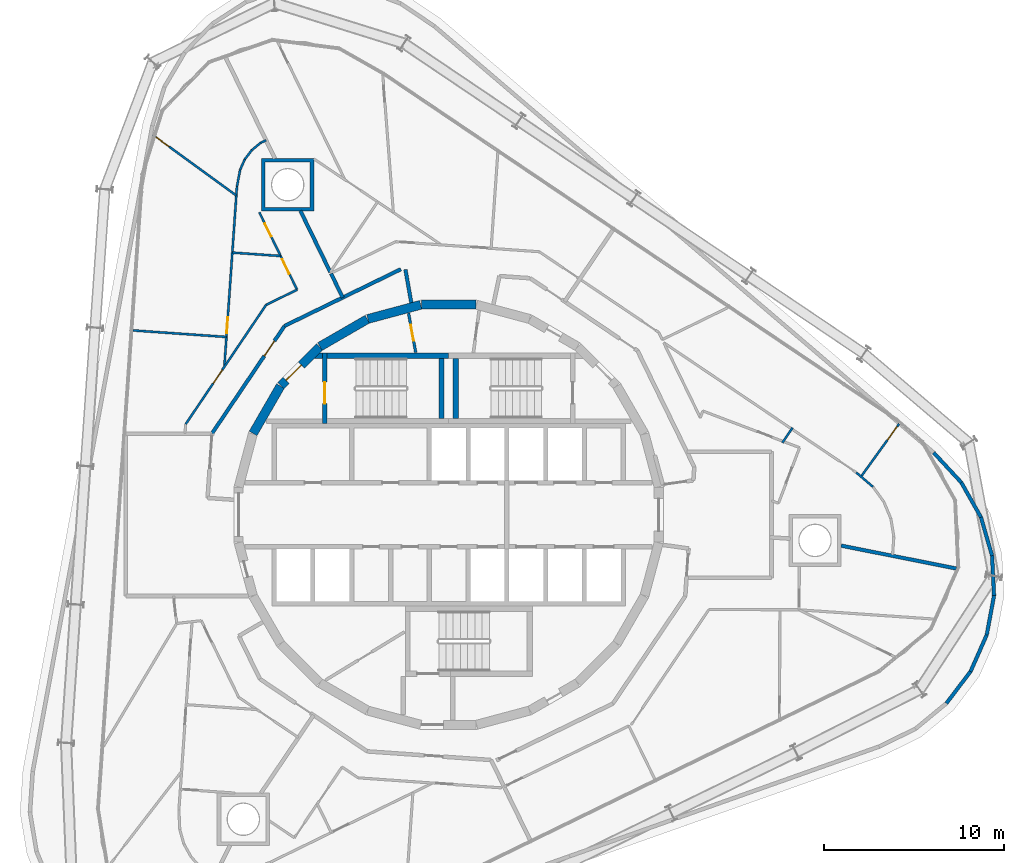
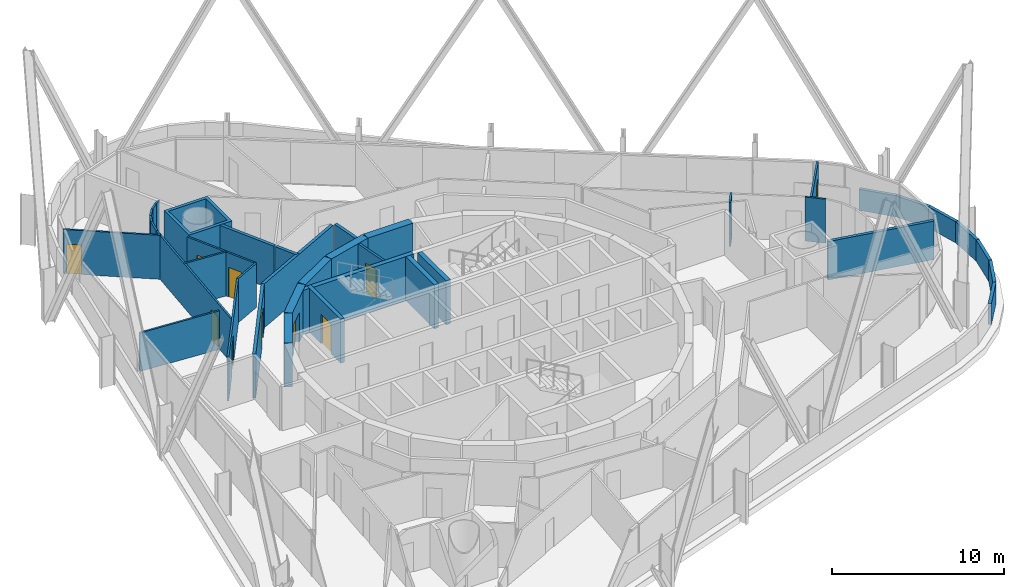
# One storey, part 15 of 18: 40 walls, 10 doors, 10 openings.
"""IFC4 building model written with IfcOpenShell, lengths in metres."""

from ifc_helpers import new_model, si_unit, direction, frame, frame_2d, origin, place, context, subcontext, project, spatial, polyline, rectangle, outline, extrude, material, layer, layer_set, type_object, element, fill, save


model = new_model("IFC4")

# Units and contexts
model_context = context("Model", 3, precision=1e-05, world=origin(), true_north=direction((0.0, 1.0)))
body_context = subcontext(model_context, "Body", "Model", "MODEL_VIEW")
ifc_project = project(units=[si_unit("LENGTHUNIT", "METRE"), si_unit("AREAUNIT", "SQUARE_METRE"), si_unit("VOLUMEUNIT", "CUBIC_METRE"), si_unit("PLANEANGLEUNIT", "RADIAN"), si_unit("MASSUNIT", "GRAM", prefix="KILO")], contexts=[model_context])

# Site, building, storey
site_placement = place(None, origin())
site = spatial("IfcSite", under=ifc_project, at=site_placement, CompositionType="ELEMENT")
building_placement = place(site_placement, origin())
building = spatial("IfcBuilding", under=site, at=building_placement, Name="Spindle Arch Residences", CompositionType="ELEMENT")
storey_placement = place(building_placement, frame((0.0, 0.0, 188.39990234375)))
storey = spatial("IfcBuildingStorey", under=building, at=storey_placement, Name="L47", CompositionType="ELEMENT", Elevation=188.39990234375)

# Walls
ifc_material_1 = material(Name="Concrete C50/60", Category="concrete")
ifc_layer_1 = layer(ifc_material_1, 0.5)
ifc_layer_set_1 = layer_set([ifc_layer_1], Name="Core outline wall 500")
wall_type_1 = type_object("IfcWallType", Name="Core outline wall 500", PredefinedType="SHEAR", material=ifc_layer_set_1)
for number, where, z_axis, x_axis, name in (
    (1, (1.516357421875, 11.647216796875, 0.0), (0.0, 0.0, 1.0), (-1.0, 0.0, 0.0), "Core outline wall 12"),
    (2, (-1.5498046875, 11.642822265625, 0.0), (0.0, 0.0, 1.0), (-0.965948410781, -0.258734743916, 0.0), "Core outline wall 13"),
    (3, (-4.510498046875, 10.84521484375, 0.0), (0.0, 0.0, 1.0), (-0.865975092491, -0.500087131594, 0.0), "Core outline wall 14"),
):
    element("IfcWall", number, at=place(storey_placement, frame(where, z_axis=z_axis, x_axis=x_axis)), inside=storey, type_object=wall_type_1, Name=name, PredefinedType="SHEAR", context=body_context, shape_type="SweptSolid", body=[
        extrude(rectangle(XDim=3.03271484375, YDim=0.5, at=frame_2d((1.516357421875, 0.0))), origin(), (0.0, 0.0, 1.0), 3.1201171875),
    ])

# Wall, opening, door
wall_1_placement = place(storey_placement, frame((-7.163818359375, 9.30810546875, 0.0), z_axis=(0.0, 0.0, 1.0), x_axis=(-0.707106781187, -0.707106781187, 0.0)))
wall_1 = element("IfcWall", 4, at=wall_1_placement, inside=storey, type_object=wall_type_1, Name="Core outline wall 15", PredefinedType="SHEAR", context=body_context, shape_type="SweptSolid", body=[
    extrude(rectangle(XDim=3.032470703125, YDim=0.5, at=frame_2d((1.51611328125, 0.0))), origin(), (0.0, 0.0, 1.0), 3.1201171875),
])
opening_1_placement = place(wall_1_placement, frame((1.416259765625, 0.0, 0.0)))
opening_1 = element("IfcOpeningElement", 5, at=opening_1_placement, cuts=wall_1, Name="Opening R5A0-AD02", PredefinedType="OPENING", context=body_context, shape_type="SweptSolid", body=[
    extrude(rectangle(XDim=1.199951171875, YDim=2.10009765625, at=frame_2d((0.60009765625, 1.050048828125))), frame((0.0, 0.260009765625, 0.0), z_axis=(0.0, -1.0, 0.0), x_axis=(1.0, 0.0, 0.0)), (0.0, 0.0, 1.0), 0.52001953125),
])
ifc_material_2 = material(Name="Steel, fire-resisting door", Category="steel")
door_type_1 = type_object("IfcDoorType", Name="Stair airlock door 1200x2100", OperationType="SINGLE_SWING_LEFT", PredefinedType="DOOR", material=ifc_material_2)
door_1_placement = place(opening_1_placement, origin())
door_1 = element("IfcDoor", 6, at=door_1_placement, inside=storey, type_object=door_type_1, Name="Stair airlock door R5A0-AD02", OperationType="SINGLE_SWING_RIGHT", OverallHeight=2.10009765625, OverallWidth=1.199951171875, PredefinedType="DOOR", context=body_context, shape_type="SweptSolid", body=[
    extrude(rectangle(XDim=1.199951171875, YDim=2.10009765625, at=frame_2d((0.60009765625, 1.050048828125))), frame((0.0, 0.02490234375, 0.0), z_axis=(0.0, -1.0, 0.0), x_axis=(1.0, 0.0, 0.0)), (0.0, 0.0, 1.0), 0.050048828125),
])
fill(opening_1, door_1)

# Walls
wall_2_placement = place(storey_placement, frame((-9.32861328125, 7.13671875, 0.0), z_axis=(0.0, 0.0, 1.0), x_axis=(-0.500087131594, -0.865975092491, 0.0)))
element("IfcWall", 7, at=wall_2_placement, inside=storey, type_object=wall_type_1, Name="Core outline wall 16", PredefinedType="SHEAR", context=body_context, shape_type="SweptSolid", body=[
    extrude(rectangle(XDim=3.03271484375, YDim=0.5, at=frame_2d((1.516357421875, 0.0))), origin(), (0.0, 0.0, 1.0), 3.1201171875),
])
ifc_material_3 = material(Name="Calcium silicate block, plastered")
ifc_layer_2 = layer(ifc_material_3, 0.199951171875)
ifc_layer_set_2 = layer_set([ifc_layer_2], Name="Corridor wall 200")
wall_type_2 = type_object("IfcWallType", Name="Corridor wall 200", PredefinedType="STANDARD", material=ifc_layer_set_2)
wall_3_placement = place(storey_placement, frame((-2.07373046875, 11.76123046875, 0.0), z_axis=(0.0, 0.0, 1.0), x_axis=(-0.173740587112, 0.984791454263, 0.0)))
element("IfcWall", 8, at=wall_3_placement, inside=storey, type_object=wall_type_2, Name="Corridor wall R5A0-W010", PredefinedType="STANDARD", context=body_context, shape_type="SweptSolid", body=[
    extrude(rectangle(XDim=1.867431640625, YDim=0.199951171875, at=frame_2d((0.93359375, 0.0))), origin(), (0.0, 0.0, 1.0), 3.1201171875),
])
wall_4_placement = place(storey_placement, frame((-2.64697265625, 13.617919921875, 0.0), z_axis=(0.0, 0.0, 1.0), x_axis=(-0.898796543751, -0.438366026218, 0.0)))
element("IfcWall", 9, at=wall_4_placement, inside=storey, type_object=wall_type_2, Name="Corridor wall R5A0-W011", PredefinedType="STANDARD", context=body_context, shape_type="SweptSolid", body=[
    extrude(rectangle(XDim=7.18115234375, YDim=0.199951171875, at=frame_2d((3.590576171875, 0.0))), origin(), (0.0, 0.0, 1.0), 3.1201171875),
])

# Wall, opening, door
wall_5_placement = place(storey_placement, frame((-9.101318359375, 10.469970703125, 0.0), z_axis=(0.0, 0.0, 1.0), x_axis=(-0.559195469534, -0.829035841718, 0.0)))
wall_5 = element("IfcWall", 10, at=wall_5_placement, inside=storey, type_object=wall_type_2, Name="Corridor wall R5A0-W012", PredefinedType="STANDARD", context=body_context, shape_type="SweptSolid", body=[
    extrude(rectangle(XDim=7.18115234375, YDim=0.199951171875, at=frame_2d((3.590576171875, 0.0))), origin(), (0.0, 0.0, 1.0), 3.1201171875),
])
opening_2_placement = place(wall_5_placement, frame((1.0, 0.0, 0.0)))
opening_2 = element("IfcOpeningElement", 11, at=opening_2_placement, cuts=wall_5, Name="Opening R5A0-FD03", PredefinedType="OPENING", context=body_context, shape_type="SweptSolid", body=[
    extrude(rectangle(XDim=1.0, YDim=2.10009765625, at=frame_2d((0.5, 1.050048828125))), frame((0.0, 0.10986328125, 0.0), z_axis=(0.0, -1.0, 0.0), x_axis=(1.0, 0.0, 0.0)), (0.0, 0.0, 1.0), 0.219970703125),
])
ifc_material_4 = material(Name="Timber, fire-resisting door set", Category="wood")
door_type_2 = type_object("IfcDoorType", Name="Flat entrance door 1000x2100", OperationType="NOTDEFINED", PredefinedType="DOOR", material=ifc_material_4)
door_2_placement = place(opening_2_placement, origin())
door_2 = element("IfcDoor", 12, at=door_2_placement, inside=storey, type_object=door_type_2, Name="Flat entrance door R5A0-FD03", OperationType="SINGLE_SWING_LEFT", OverallHeight=2.10009765625, OverallWidth=1.0, PredefinedType="DOOR", context=body_context, shape_type="SweptSolid", body=[
    extrude(rectangle(XDim=1.0, YDim=2.10009765625, at=frame_2d((0.5, 1.050048828125))), frame((0.0, 0.02490234375, 0.0), z_axis=(0.0, -1.0, 0.0), x_axis=(1.0, 0.0, 0.0)), (0.0, 0.0, 1.0), 0.050048828125),
])
fill(opening_2, door_2)

# Wall
ifc_material_5 = material(Name="Plasterboard on steel studs", Category="steel")
ifc_layer_3 = layer(ifc_material_5, 0.1201171875)
ifc_layer_set_3 = layer_set([ifc_layer_3], Name="Flat partition 120")
wall_type_3 = type_object("IfcWallType", Name="Flat partition 120", PredefinedType="PARTITIONING", material=ifc_layer_set_3)
wall_6_placement = place(storey_placement, frame((22.598388671875, 2.3447265625, 0.0), z_axis=(0.0, 0.0, 1.0), x_axis=(0.758596166141, -0.651561092083, 0.0)))
element("IfcWall", 13, at=wall_6_placement, inside=storey, type_object=wall_type_3, Name="Flat partition R5A0-W043", PredefinedType="PARTITIONING", context=body_context, shape_type="SweptSolid", body=[
    extrude(rectangle(XDim=1.22705078125, YDim=0.1201171875, at=frame_2d((0.613525390625, 0.0))), origin(), (0.0, 0.0, 1.0), 3.1201171875),
])

# Wall, opening, door
wall_7_placement = place(storey_placement, frame((24.9775390625, 5.047119140625, 0.0), z_axis=(0.0, 0.0, 1.0), x_axis=(-0.585041443684, -0.811003396523, 0.0)))
wall_7 = element("IfcWall", 14, at=wall_7_placement, inside=storey, type_object=wall_type_3, Name="Flat partition R5A0-W048", PredefinedType="PARTITIONING", context=body_context, shape_type="SweptSolid", body=[
    extrude(rectangle(XDim=3.613037109375, YDim=0.1201171875, at=frame_2d((1.806640625, 0.0))), origin(), (0.0, 0.0, 1.0), 3.1201171875),
])
opening_3_placement = place(wall_7_placement, frame((0.199951171875, 0.0, 0.0)))
opening_3 = element("IfcOpeningElement", 15, at=opening_3_placement, cuts=wall_7, Name="Opening R5A0-ID04", PredefinedType="OPENING", context=body_context, shape_type="SweptSolid", body=[
    extrude(rectangle(XDim=0.89990234375, YDim=2.10009765625, at=frame_2d((0.449951171875, 1.050048828125))), frame((0.0, 0.070068359375, 0.0), z_axis=(0.0, -1.0, 0.0), x_axis=(1.0, 0.0, 0.0)), (0.0, 0.0, 1.0), 0.14013671875),
])
ifc_material_6 = material(Name="Timber door set", Category="wood")
door_type_3 = type_object("IfcDoorType", Name="Room door 900x2100", OperationType="NOTDEFINED", PredefinedType="DOOR", material=ifc_material_6)
door_3_placement = place(opening_3_placement, origin())
door_3 = element("IfcDoor", 16, at=door_3_placement, inside=storey, type_object=door_type_3, Name="Room door R5A0-ID04", OperationType="SINGLE_SWING_LEFT", OverallHeight=2.10009765625, OverallWidth=0.89990234375, PredefinedType="DOOR", context=body_context, shape_type="SweptSolid", body=[
    extrude(rectangle(XDim=0.89990234375, YDim=2.10009765625, at=frame_2d((0.449951171875, 1.050048828125))), frame((0.0, 0.02490234375, 0.0), z_axis=(0.0, -1.0, 0.0), x_axis=(1.0, 0.0, 0.0)), (0.0, 0.0, 1.0), 0.050048828125),
])
fill(opening_3, door_3)

# Wall
wall_8_placement = place(storey_placement, frame((19.06689453125, 4.832275390625, 0.0), z_axis=(0.0, 0.0, 1.0), x_axis=(-0.559257363459, -0.828994090098, 0.0)))
element("IfcWall", 17, at=wall_8_placement, inside=storey, type_object=wall_type_3, Name="Flat partition R5A0-W050", PredefinedType="PARTITIONING", context=body_context, shape_type="SweptSolid", body=[
    extrude(rectangle(XDim=1.011962890625, YDim=0.1201171875, at=frame_2d((0.505859375, 0.0))), origin(), (0.0, 0.0, 1.0), 3.1201171875),
])

# Wall, openings, doors
wall_9_placement = place(storey_placement, frame((-10.5, 16.774658203125, 0.0), z_axis=(0.0, 0.0, 1.0), x_axis=(0.438345136783, -0.898806731761, 0.0)))
wall_9 = element("IfcWall", 18, at=wall_9_placement, inside=storey, type_object=wall_type_3, Name="Flat partition R5A0-W059", PredefinedType="PARTITIONING", context=body_context, shape_type="SweptSolid", body=[
    extrude(rectangle(XDim=4.77978515625, YDim=0.1201171875, at=frame_2d((2.389892578125, 0.0))), origin(), (0.0, 0.0, 1.0), 3.1201171875),
])
opening_4_placement = place(wall_9_placement, frame((0.699951171875, 0.0, 0.0)))
opening_4 = element("IfcOpeningElement", 19, at=opening_4_placement, cuts=wall_9, Name="Opening R5A0-BD03", PredefinedType="OPENING", context=body_context, shape_type="SweptSolid", body=[
    extrude(rectangle(XDim=0.800048828125, YDim=2.10009765625, at=frame_2d((0.39990234375, 1.050048828125))), frame((0.0, 0.070068359375, 0.0), z_axis=(0.0, -1.0, 0.0), x_axis=(1.0, 0.0, 0.0)), (0.0, 0.0, 1.0), 0.14013671875),
])
opening_5_placement = place(wall_9_placement, frame((2.898681640625, 0.0, 0.0)))
opening_5 = element("IfcOpeningElement", 20, at=opening_5_placement, cuts=wall_9, Name="Opening R5A0-ID10", PredefinedType="OPENING", context=body_context, shape_type="SweptSolid", body=[
    extrude(rectangle(XDim=0.89990234375, YDim=2.10009765625, at=frame_2d((0.449951171875, 1.050048828125))), frame((0.0, 0.070068359375, 0.0), z_axis=(0.0, -1.0, 0.0), x_axis=(1.0, 0.0, 0.0)), (0.0, 0.0, 1.0), 0.14013671875),
])
ifc_material_7 = material(Name="Timber door set", Category="wood")
door_type_4 = type_object("IfcDoorType", Name="Bathroom door 800x2100", OperationType="NOTDEFINED", PredefinedType="DOOR", material=ifc_material_7)
door_4_placement = place(opening_4_placement, origin())
door_4 = element("IfcDoor", 21, at=door_4_placement, inside=storey, type_object=door_type_4, Name="Bathroom door R5A0-BD03", OperationType="SINGLE_SWING_LEFT", OverallHeight=2.10009765625, OverallWidth=0.800048828125, PredefinedType="DOOR", context=body_context, shape_type="SweptSolid", body=[
    extrude(rectangle(XDim=0.800048828125, YDim=2.10009765625, at=frame_2d((0.39990234375, 1.050048828125))), frame((0.0, 0.02490234375, 0.0), z_axis=(0.0, -1.0, 0.0), x_axis=(1.0, 0.0, 0.0)), (0.0, 0.0, 1.0), 0.050048828125),
])
fill(opening_4, door_4)
door_5_placement = place(opening_5_placement, origin())
door_5 = element("IfcDoor", 22, at=door_5_placement, inside=storey, type_object=door_type_3, Name="Room door R5A0-ID10", OperationType="SINGLE_SWING_LEFT", OverallHeight=2.10009765625, OverallWidth=0.89990234375, PredefinedType="DOOR", context=body_context, shape_type="SweptSolid", body=[
    extrude(rectangle(XDim=0.89990234375, YDim=2.10009765625, at=frame_2d((0.449951171875, 1.050048828125))), frame((0.0, 0.02490234375, 0.0), z_axis=(0.0, -1.0, 0.0), x_axis=(1.0, 0.0, 0.0)), (0.0, 0.0, 1.0), 0.050048828125),
])
fill(opening_5, door_5)

# Wall
wall_10_placement = place(storey_placement, frame((-8.40478515625, 12.478515625, 0.0), z_axis=(0.0, 0.0, 1.0), x_axis=(-0.898784427692, -0.438390867307, 0.0)))
element("IfcWall", 23, at=wall_10_placement, inside=storey, type_object=wall_type_3, Name="Flat partition R5A0-W060", PredefinedType="PARTITIONING", context=body_context, shape_type="SweptSolid", body=[
    extrude(rectangle(XDim=1.908447265625, YDim=0.1201171875, at=frame_2d((0.9541015625, 0.0))), origin(), (0.0, 0.0, 1.0), 3.1201171875),
])

# Wall, opening, door
wall_11_placement = place(storey_placement, frame((-10.1201171875, 11.641845703125, 0.0), z_axis=(0.0, 0.0, 1.0), x_axis=(-0.55920080659, -0.829032241779, 0.0)))
wall_11 = element("IfcWall", 24, at=wall_11_placement, inside=storey, type_object=wall_type_3, Name="Flat partition R5A0-W061", PredefinedType="PARTITIONING", context=body_context, shape_type="SweptSolid", body=[
    extrude(rectangle(XDim=7.98486328125, YDim=0.1201171875, at=frame_2d((3.992431640625, 0.0))), origin(), (0.0, 0.0, 1.0), 3.1201171875),
])
opening_6_placement = place(wall_11_placement, frame((4.346435546875, 0.0, 0.0)))
opening_6 = element("IfcOpeningElement", 25, at=opening_6_placement, cuts=wall_11, Name="Opening R5A0-ID11", PredefinedType="OPENING", context=body_context, shape_type="SweptSolid", body=[
    extrude(rectangle(XDim=0.89990234375, YDim=2.10009765625, at=frame_2d((0.449951171875, 1.050048828125))), frame((0.0, 0.070068359375, 0.0), z_axis=(0.0, -1.0, 0.0), x_axis=(1.0, 0.0, 0.0)), (0.0, 0.0, 1.0), 0.14013671875),
])
door_6_placement = place(opening_6_placement, origin())
door_6 = element("IfcDoor", 26, at=door_6_placement, inside=storey, type_object=door_type_3, Name="Room door R5A0-ID11", OperationType="SINGLE_SWING_LEFT", OverallHeight=2.10009765625, OverallWidth=0.89990234375, PredefinedType="DOOR", context=body_context, shape_type="SweptSolid", body=[
    extrude(rectangle(XDim=0.89990234375, YDim=2.10009765625, at=frame_2d((0.449951171875, 1.050048828125))), frame((0.0, 0.02490234375, 0.0), z_axis=(0.0, -1.0, 0.0), x_axis=(1.0, 0.0, 0.0)), (0.0, 0.0, 1.0), 0.050048828125),
])
fill(opening_6, door_6)

wall_12_placement = place(storey_placement, frame((-12.438720703125, 8.204345703125, 0.0), z_axis=(0.0, 0.0, 1.0), x_axis=(0.069750037523, 0.997564500303, 0.0)))
wall_12 = element("IfcWall", 27, at=wall_12_placement, inside=storey, type_object=wall_type_3, Name="Flat partition R5A0-W063", PredefinedType="PARTITIONING", context=body_context, shape_type="SweptSolid", body=[
    extrude(rectangle(XDim=10.01416015625, YDim=0.1201171875, at=frame_2d((5.007080078125, 0.0))), origin(), (0.0, 0.0, 1.0), 3.1201171875),
])
opening_7_placement = place(wall_12_placement, frame((1.859130859375, 0.0, 0.0)))
opening_7 = element("IfcOpeningElement", 28, at=opening_7_placement, cuts=wall_12, Name="Opening R5A0-ID12", PredefinedType="OPENING", context=body_context, shape_type="SweptSolid", body=[
    extrude(rectangle(XDim=0.89990234375, YDim=2.10009765625, at=frame_2d((0.449951171875, 1.050048828125))), frame((0.0, 0.070068359375, 0.0), z_axis=(0.0, -1.0, 0.0), x_axis=(1.0, 0.0, 0.0)), (0.0, 0.0, 1.0), 0.14013671875),
])
door_7_placement = place(opening_7_placement, origin())
door_7 = element("IfcDoor", 29, at=door_7_placement, inside=storey, type_object=door_type_3, Name="Room door R5A0-ID12", OperationType="SINGLE_SWING_LEFT", OverallHeight=2.10009765625, OverallWidth=0.89990234375, PredefinedType="DOOR", context=body_context, shape_type="SweptSolid", body=[
    extrude(rectangle(XDim=0.89990234375, YDim=2.10009765625, at=frame_2d((0.449951171875, 1.050048828125))), frame((0.0, 0.02490234375, 0.0), z_axis=(0.0, -1.0, 0.0), x_axis=(1.0, 0.0, 0.0)), (0.0, 0.0, 1.0), 0.050048828125),
])
fill(opening_7, door_7)

# Walls
wall_13_placement = place(storey_placement, frame((-11.740234375, 18.194091796875, 0.0), z_axis=(0.0, 0.0, 1.0), x_axis=(0.185144760846, 0.982711258474, 0.0)))
element("IfcWall", 30, at=wall_13_placement, inside=storey, type_object=wall_type_3, Name="Flat partition R5A0-W064", PredefinedType="PARTITIONING", context=body_context, shape_type="SweptSolid", body=[
    extrude(rectangle(XDim=0.94677734375, YDim=0.1201171875, at=frame_2d((0.473388671875, 0.0))), origin(), (0.0, 0.0, 1.0), 3.1201171875),
])
for number, where, z_axis, x_axis, name in (
    (31, (-11.56494140625, 19.12451171875, 0.0), (0.0, 0.0, 1.0), (0.406597190981, 0.913607532963, 0.0), "Flat partition R5A0-W065"),
    (32, (-11.303955078125, 19.7109375, 0.0), (0.0, 0.0, 1.0), (0.60667331935, 0.794951246045, 0.0), "Flat partition R5A0-W066"),
    (33, (-10.91455078125, 20.22119140625, 0.0), (0.0, 0.0, 1.0), (0.773278980213, 0.634065941965, 0.0), "Flat partition R5A0-W067"),
):
    element("IfcWall", number, at=place(storey_placement, frame(where, z_axis=z_axis, x_axis=x_axis)), inside=storey, type_object=wall_type_3, Name=name, PredefinedType="PARTITIONING", context=body_context, shape_type="SweptSolid", body=[
        extrude(rectangle(XDim=0.641845703125, YDim=0.1201171875, at=frame_2d((0.32080078125, 0.0))), origin(), (0.0, 0.0, 1.0), 3.1201171875),
    ])
wall_14_placement = place(storey_placement, frame((-10.418212890625, 20.628173828125, 0.0), z_axis=(0.0, 0.0, 1.0), x_axis=(0.898943795765, 0.438063981692, 0.0)))
element("IfcWall", 34, at=wall_14_placement, inside=storey, type_object=wall_type_3, Name="Flat partition R5A0-W068", PredefinedType="PARTITIONING", context=body_context, shape_type="SweptSolid", body=[
    extrude(rectangle(XDim=0.321044921875, YDim=0.1201171875, at=frame_2d((0.16064453125, 0.0))), origin(), (0.0, 0.0, 1.0), 3.1201171875),
])

# Wall, opening, door
wall_15_placement = place(storey_placement, frame((-16.39501953125, 21.060791015625, 0.0), z_axis=(0.0, 0.0, 1.0), x_axis=(0.808810002497, -0.58807004673, 0.0)))
wall_15 = element("IfcWall", 35, at=wall_15_placement, inside=storey, type_object=wall_type_3, Name="Flat partition R5A0-W069", PredefinedType="PARTITIONING", context=body_context, shape_type="SweptSolid", body=[
    extrude(rectangle(XDim=5.712646484375, YDim=0.1201171875, at=frame_2d((2.8564453125, 0.0))), origin(), (0.0, 0.0, 1.0), 3.1201171875),
])
opening_8_placement = place(wall_15_placement, frame((0.199951171875, 0.0, 0.0)))
opening_8 = element("IfcOpeningElement", 36, at=opening_8_placement, cuts=wall_15, Name="Opening R5A0-ID13", PredefinedType="OPENING", context=body_context, shape_type="SweptSolid", body=[
    extrude(rectangle(XDim=0.89990234375, YDim=2.10009765625, at=frame_2d((0.449951171875, 1.050048828125))), frame((0.0, 0.070068359375, 0.0), z_axis=(0.0, -1.0, 0.0), x_axis=(1.0, 0.0, 0.0)), (0.0, 0.0, 1.0), 0.14013671875),
])
door_8_placement = place(opening_8_placement, origin())
door_8 = element("IfcDoor", 37, at=door_8_placement, inside=storey, type_object=door_type_3, Name="Room door R5A0-ID13", OperationType="SINGLE_SWING_LEFT", OverallHeight=2.10009765625, OverallWidth=0.89990234375, PredefinedType="DOOR", context=body_context, shape_type="SweptSolid", body=[
    extrude(rectangle(XDim=0.89990234375, YDim=2.10009765625, at=frame_2d((0.449951171875, 1.050048828125))), frame((0.0, 0.02490234375, 0.0), z_axis=(0.0, -1.0, 0.0), x_axis=(1.0, 0.0, 0.0)), (0.0, 0.0, 1.0), 0.050048828125),
])
fill(opening_8, door_8)

# Walls
wall_16_placement = place(storey_placement, frame((-11.99609375, 14.536376953125, 0.0), z_axis=(0.0, 0.0, 1.0), x_axis=(0.997565991425, -0.069728708231, 0.0)))
element("IfcWall", 38, at=wall_16_placement, inside=storey, type_object=wall_type_3, Name="Flat partition R5A0-W070", PredefinedType="PARTITIONING", context=body_context, shape_type="SweptSolid", body=[
    extrude(rectangle(XDim=2.685546875, YDim=0.1201171875, at=frame_2d((1.3427734375, 0.0))), origin(), (0.0, 0.0, 1.0), 3.1201171875),
])
ifc_material_8 = material(Name="Plasterboard on steel studs", Category="steel")
ifc_layer_4 = layer(ifc_material_8, 0.1201171875)
ifc_layer_set_4 = layer_set([ifc_layer_4], Name="Flat partition 120 under beam 2730")
wall_type_4 = type_object("IfcWallType", Name="Flat partition 120 under beam 2730", PredefinedType="PARTITIONING", material=ifc_layer_set_4)
wall_17_placement = place(storey_placement, frame((-17.51025390625, 10.222412109375, 0.0), z_axis=(0.0, 0.0, 1.0), x_axis=(0.997563184303, -0.069768856397, 0.0)))
element("IfcWall", 39, at=wall_17_placement, inside=storey, type_object=wall_type_4, Name="Flat partition R5A0-W071", PredefinedType="PARTITIONING", context=body_context, shape_type="SweptSolid", body=[
    extrude(rectangle(XDim=5.199951171875, YDim=0.1201171875, at=frame_2d((2.60009765625, 0.0))), origin(), (0.0, 0.0, 1.0), 2.72998046875),
])
ifc_material_9 = material(Name="Calcium silicate block, plastered")
ifc_layer_5 = layer(ifc_material_9, 0.199951171875)
ifc_layer_set_5 = layer_set([ifc_layer_5], Name="Flat party wall 200")
wall_type_5 = type_object("IfcWallType", Name="Flat party wall 200", PredefinedType="STANDARD", material=ifc_layer_set_5)
wall_18_placement = place(storey_placement, frame((-6.5224609375, 13.373046875, 0.0), z_axis=(0.0, 0.0, 1.0), x_axis=(0.438277270821, -0.8988398266, 0.0)))
element("IfcWall", 40, at=wall_18_placement, inside=storey, type_object=wall_type_5, Name="Flat party wall R5A0-W030", PredefinedType="STANDARD", context=body_context, shape_type="SweptSolid", body=[
    extrude(rectangle(XDim=1.47900390625, YDim=0.199951171875, at=frame_2d((0.739501953125, 0.0))), origin(), (0.0, 0.0, 1.0), 3.1201171875),
])
wall_19_placement = place(storey_placement, frame((-8.219482421875, 16.8505859375, 0.0), z_axis=(0.0, 0.0, 1.0), x_axis=(0.438291091101, -0.898833087654, 0.0)))
element("IfcWall", 41, at=wall_19_placement, inside=storey, type_object=wall_type_5, Name="Flat party wall R5A0-W031", PredefinedType="STANDARD", context=body_context, shape_type="SweptSolid", body=[
    extrude(rectangle(XDim=3.7744140625, YDim=0.199951171875, at=frame_2d((1.88720703125, 0.0))), origin(), (0.0, 0.0, 1.0), 3.1201171875),
])
ifc_material_10 = material(Name="Calcium silicate block, plastered")
ifc_layer_6 = layer(ifc_material_10, 0.199951171875)
ifc_layer_set_6 = layer_set([ifc_layer_6], Name="Flat party wall 200 under beam 2730")
wall_type_6 = type_object("IfcWallType", Name="Flat party wall 200 under beam 2730", PredefinedType="STANDARD", material=ifc_layer_set_6)
wall_20_placement = place(storey_placement, frame((21.761962890625, -1.70947265625, 0.0), z_axis=(0.0, 0.0, 1.0), x_axis=(0.980707365343, -0.195481619501, 0.0)))
element("IfcWall", 42, at=wall_20_placement, inside=storey, type_object=wall_type_6, Name="Flat party wall R5A0-W028", PredefinedType="STANDARD", context=body_context, shape_type="SweptSolid", body=[
    extrude(rectangle(XDim=6.511962890625, YDim=0.199951171875, at=frame_2d((3.255859375, 0.0))), origin(), (0.0, 0.0, 1.0), 2.72998046875),
])
ifc_material_11 = material(Name="Calcium silicate block, plastered")
ifc_layer_7 = layer(ifc_material_11, 0.199951171875)
ifc_layer_set_7 = layer_set([ifc_layer_7], Name="Mega-column casing wall 200")
wall_type_7 = type_object("IfcWallType", Name="Mega-column casing wall 200", PredefinedType="STANDARD", material=ifc_layer_set_7)
wall_21_placement = place(storey_placement, origin())
element("IfcWall", 43, at=wall_21_placement, inside=storey, type_object=wall_type_7, Name="Mega-column casing wall R5A0-WC01", PredefinedType="STANDARD", context=body_context, shape_type="SweptSolid", body=[
    extrude(outline(polyline([(-7.475830078125, 19.750732421875), (-7.475830078125, 16.850830078125), (-10.3759765625, 16.850830078125), (-10.3759765625, 19.750732421875), (-7.475830078125, 19.750732421875)]), holes=[polyline([(-10.17578125, 17.05078125), (-7.67578125, 17.05078125), (-7.67578125, 19.55078125), (-10.17578125, 19.55078125), (-10.17578125, 17.05078125)])]), origin(), (0.0, 0.0, 1.0), 3.1201171875),
])
ifc_material_12 = material(Name="Concrete C40/50", Category="concrete")
ifc_layer_8 = layer(ifc_material_12, 0.199951171875)
ifc_layer_set_8 = layer_set([ifc_layer_8], Name="Roof parapet 1500")
wall_type_8 = type_object("IfcWallType", Name="Roof parapet 1500", PredefinedType="PARAPET", material=ifc_layer_set_8)
wall_22_placement = place(storey_placement, frame((26.888916015625, 3.44580078125, 0.030029296875), z_axis=(0.0, 0.0, 1.0), x_axis=(0.67989093074, -0.733313249777, 0.0)))
element("IfcWall", 44, at=wall_22_placement, inside=storey, type_object=wall_type_8, Name="Roof parapet L46 1.22", PredefinedType="PARAPET", context=body_context, shape_type="SweptSolid", body=[
    extrude(rectangle(XDim=2.257568359375, YDim=0.199951171875, at=frame_2d((1.12890625, 0.0))), origin(), (0.0, 0.0, 1.0), 1.5),
])
for number, where, z_axis, x_axis, name in (
    (45, (28.4169921875, 1.7998046875, 0.030029296875), (0.0, 0.0, 1.0), (0.492382148162, -0.870379124388, 0.0), "Roof parapet L46 1.23"),
    (46, (29.509765625, -0.12890625, 0.030029296875), (0.0, 0.0, 1.0), (0.278409231796, -0.960462544637, 0.0), "Roof parapet L46 1.24"),
):
    element("IfcWall", number, at=place(storey_placement, frame(where, z_axis=z_axis, x_axis=x_axis)), inside=storey, type_object=wall_type_8, Name=name, PredefinedType="PARAPET", context=body_context, shape_type="SweptSolid", body=[
        extrude(rectangle(XDim=2.228271484375, YDim=0.199951171875, at=frame_2d((1.1142578125, 0.0))), origin(), (0.0, 0.0, 1.0), 1.5),
    ])
wall_23_placement = place(storey_placement, frame((30.128173828125, -2.257568359375, 0.030029296875), z_axis=(0.0, 0.0, 1.0), x_axis=(0.049418425845, -0.998778163151, 0.0)))
element("IfcWall", 47, at=wall_23_placement, inside=storey, type_object=wall_type_8, Name="Roof parapet L46 1.25", PredefinedType="PARAPET", context=body_context, shape_type="SweptSolid", body=[
    extrude(rectangle(XDim=2.22802734375, YDim=0.199951171875, at=frame_2d((1.114013671875, 0.0))), origin(), (0.0, 0.0, 1.0), 1.5),
])
for number, where, z_axis, x_axis, name in (
    (48, (30.239013671875, -4.471435546875, 0.030029296875), (0.0, 0.0, 1.0), (-0.182210887523, -0.983259473622, 0.0), "Roof parapet L46 1.26"),
    (49, (29.83642578125, -6.651123046875, 0.030029296875), (0.0, 0.0, 1.0), (-0.404063653927, -0.914730869478, 0.0), "Roof parapet L46 1.27"),
):
    element("IfcWall", number, at=place(storey_placement, frame(where, z_axis=z_axis, x_axis=x_axis)), inside=storey, type_object=wall_type_8, Name=name, PredefinedType="PARAPET", context=body_context, shape_type="SweptSolid", body=[
        extrude(rectangle(XDim=2.228271484375, YDim=0.199951171875, at=frame_2d((1.1142578125, 0.0))), origin(), (0.0, 0.0, 1.0), 1.5),
    ])
wall_24_placement = place(storey_placement, frame((28.94189453125, -8.679443359375, 0.030029296875), z_axis=(0.0, 0.0, 1.0), x_axis=(-0.604077067239, -0.796925904232, 0.0)))
element("IfcWall", 50, at=wall_24_placement, inside=storey, type_object=wall_type_8, Name="Roof parapet L46 1.28", PredefinedType="PARAPET", context=body_context, shape_type="SweptSolid", body=[
    extrude(rectangle(XDim=2.22802734375, YDim=0.199951171875, at=frame_2d((1.114013671875, 0.0))), origin(), (0.0, 0.0, 1.0), 1.5),
])

# Wall, opening, door
ifc_material_13 = material(Name="Concrete C25/30", Category="concrete")
ifc_layer_9 = layer(ifc_material_13, 0.14990234375)
ifc_layer_set_9 = layer_set([ifc_layer_9], Name="Service room partition 150")
wall_type_9 = type_object("IfcWallType", Name="Service room partition 150", PredefinedType="PARTITIONING", material=ifc_layer_set_9)
wall_25_placement = place(storey_placement, frame((-1.824951171875, 8.98974609375, 0.0), z_axis=(0.0, 0.0, 1.0), x_axis=(-0.179955206115, 0.983674805915, 0.0)))
wall_25 = element("IfcWall", 51, at=wall_25_placement, inside=storey, type_object=wall_type_9, Name="Core service room partition", PredefinedType="PARTITIONING", context=body_context, shape_type="SweptSolid", body=[
    extrude(rectangle(XDim=2.22900390625, YDim=0.14990234375, at=frame_2d((1.114501953125, 0.0))), origin(), (0.0, 0.0, 1.0), 3.1201171875),
])
opening_9_placement = place(wall_25_placement, frame((0.66455078125, 0.0, 0.0)))
opening_9 = element("IfcOpeningElement", 52, at=opening_9_placement, cuts=wall_25, Name="Opening R5A0-WD09", PredefinedType="OPENING", context=body_context, shape_type="SweptSolid", body=[
    extrude(rectangle(XDim=0.89990234375, YDim=2.10009765625, at=frame_2d((0.449951171875, 1.050048828125))), frame((0.0, 0.0849609375, 0.0), z_axis=(0.0, -1.0, 0.0), x_axis=(1.0, 0.0, 0.0)), (0.0, 0.0, 1.0), 0.169921875),
])
ifc_material_14 = material(Name="Steel, fire-resisting door", Category="steel")
door_type_5 = type_object("IfcDoorType", Name="Service room door 900x2100", OperationType="SINGLE_SWING_LEFT", PredefinedType="DOOR", material=ifc_material_14)
door_9_placement = place(opening_9_placement, origin())
door_9 = element("IfcDoor", 53, at=door_9_placement, inside=storey, type_object=door_type_5, Name="Service room door R5A0-WD09", OperationType="SINGLE_SWING_LEFT", OverallHeight=2.10009765625, OverallWidth=0.89990234375, PredefinedType="DOOR", context=body_context, shape_type="SweptSolid", body=[
    extrude(rectangle(XDim=0.89990234375, YDim=2.10009765625, at=frame_2d((0.449951171875, 1.050048828125))), frame((0.0, 0.02490234375, 0.0), z_axis=(0.0, -1.0, 0.0), x_axis=(1.0, 0.0, 0.0)), (0.0, 0.0, 1.0), 0.050048828125),
])
fill(opening_9, door_9)

# Wall
ifc_material_15 = material(Name="Concrete C40/50", Category="concrete")
wall_type_10 = type_object("IfcWallType", Name="Stair airlock wall profile", PredefinedType="SHEAR", material=ifc_material_15)
wall_26_placement = place(storey_placement, origin())
element("IfcWall", 54, at=wall_26_placement, inside=storey, type_object=wall_type_10, Name="Stair ST-2 airlock wall N", PredefinedType="SHEAR", context=body_context, shape_type="SweptSolid", body=[
    extrude(outline(polyline([(-7.148193359375, 8.969970703125), (-7.0, 8.969970703125), (-7.0, 8.669921875), (-7.4482421875, 8.669921875), (-7.148193359375, 8.969970703125)])), origin(), (0.0, 0.0, 1.0), 3.1201171875),
])

# Wall, opening, door
ifc_material_16 = material(Name="Concrete C50/60", Category="concrete")
ifc_layer_10 = layer(ifc_material_16, 0.25)
ifc_layer_set_10 = layer_set([ifc_layer_10], Name="Stair enclosure wall 250")
wall_type_11 = type_object("IfcWallType", Name="Stair enclosure wall 250", PredefinedType="SHEAR", material=ifc_layer_set_10)
wall_27_placement = place(storey_placement, frame((-6.875, 8.969970703125, 0.0), z_axis=(0.0, 0.0, 1.0), x_axis=(0.0, -1.0, 0.0)))
wall_27 = element("IfcWall", 55, at=wall_27_placement, inside=storey, type_object=wall_type_11, Name="Stair ST-2 door wall", PredefinedType="SHEAR", context=body_context, shape_type="SweptSolid", body=[
    extrude(rectangle(XDim=3.919921875, YDim=0.25, at=frame_2d((1.9599609375, 0.0))), origin(), (0.0, 0.0, 1.0), 3.1201171875),
])
opening_10_placement = place(wall_27_placement, frame((1.610107421875, 0.0, 0.0)))
opening_10 = element("IfcOpeningElement", 56, at=opening_10_placement, cuts=wall_27, Name="Opening R5A0-SD02", PredefinedType="OPENING", context=body_context, shape_type="SweptSolid", body=[
    extrude(rectangle(XDim=1.199951171875, YDim=2.10009765625, at=frame_2d((0.60009765625, 1.050048828125))), frame((0.0, 0.135009765625, 0.0), z_axis=(0.0, -1.0, 0.0), x_axis=(1.0, 0.0, 0.0)), (0.0, 0.0, 1.0), 0.27001953125),
])
ifc_material_17 = material(Name="Steel, fire-resisting door", Category="steel")
door_type_6 = type_object("IfcDoorType", Name="Stair door 1200x2100", OperationType="SINGLE_SWING_RIGHT", PredefinedType="DOOR", material=ifc_material_17)
door_10_placement = place(opening_10_placement, origin())
door_10 = element("IfcDoor", 57, at=door_10_placement, inside=storey, type_object=door_type_6, Name="Stair door R5A0-SD02", OperationType="SINGLE_SWING_LEFT", OverallHeight=2.10009765625, OverallWidth=1.199951171875, PredefinedType="DOOR", context=body_context, shape_type="SweptSolid", body=[
    extrude(rectangle(XDim=1.199951171875, YDim=2.10009765625, at=frame_2d((0.60009765625, 1.050048828125))), frame((0.0, 0.02490234375, 0.0), z_axis=(0.0, -1.0, 0.0), x_axis=(1.0, 0.0, 0.0)), (0.0, 0.0, 1.0), 0.050048828125),
])
fill(opening_10, door_10)

# Walls
ifc_material_18 = material(Name="Concrete C50/60", Category="concrete")
ifc_layer_11 = layer(ifc_material_18, 0.300048828125)
ifc_layer_set_11 = layer_set([ifc_layer_11], Name="Stair enclosure wall 300")
wall_type_12 = type_object("IfcWallType", Name="Stair enclosure wall 300", PredefinedType="SHEAR", material=ifc_layer_set_11)
wall_28_placement = place(storey_placement, frame((0.39990234375, 5.35009765625, 0.0), z_axis=(0.0, 0.0, 1.0), x_axis=(0.0, 1.0, 0.0)))
element("IfcWall", 58, at=wall_28_placement, inside=storey, type_object=wall_type_12, Name="Stair ST-1 enclosure wall F", PredefinedType="SHEAR", context=body_context, shape_type="SweptSolid", body=[
    extrude(rectangle(XDim=3.31982421875, YDim=0.300048828125, at=frame_2d((1.659912109375, 0.0))), origin(), (0.0, 0.0, 1.0), 3.1201171875),
])
wall_29_placement = place(storey_placement, frame((-6.75, 8.820068359375, 0.0), z_axis=(0.0, 0.0, 1.0), x_axis=(1.0, 0.0, 0.0)))
element("IfcWall", 59, at=wall_29_placement, inside=storey, type_object=wall_type_12, Name="Stair ST-2 enclosure wall N", PredefinedType="SHEAR", context=body_context, shape_type="SweptSolid", body=[
    extrude(rectangle(XDim=6.75, YDim=0.300048828125, at=frame_2d((3.375, 0.0))), origin(), (0.0, 0.0, 1.0), 3.1201171875),
])
wall_30_placement = place(storey_placement, frame((-0.39990234375, 5.35009765625, 0.0), z_axis=(0.0, 0.0, 1.0), x_axis=(0.0, 1.0, 0.0)))
element("IfcWall", 60, at=wall_30_placement, inside=storey, type_object=wall_type_12, Name="Stair ST-2 enclosure wall F", PredefinedType="SHEAR", context=body_context, shape_type="SweptSolid", body=[
    extrude(rectangle(XDim=3.31982421875, YDim=0.300048828125, at=frame_2d((1.659912109375, 0.0))), origin(), (0.0, 0.0, 1.0), 3.1201171875),
])

save(model, "model.ifc")
